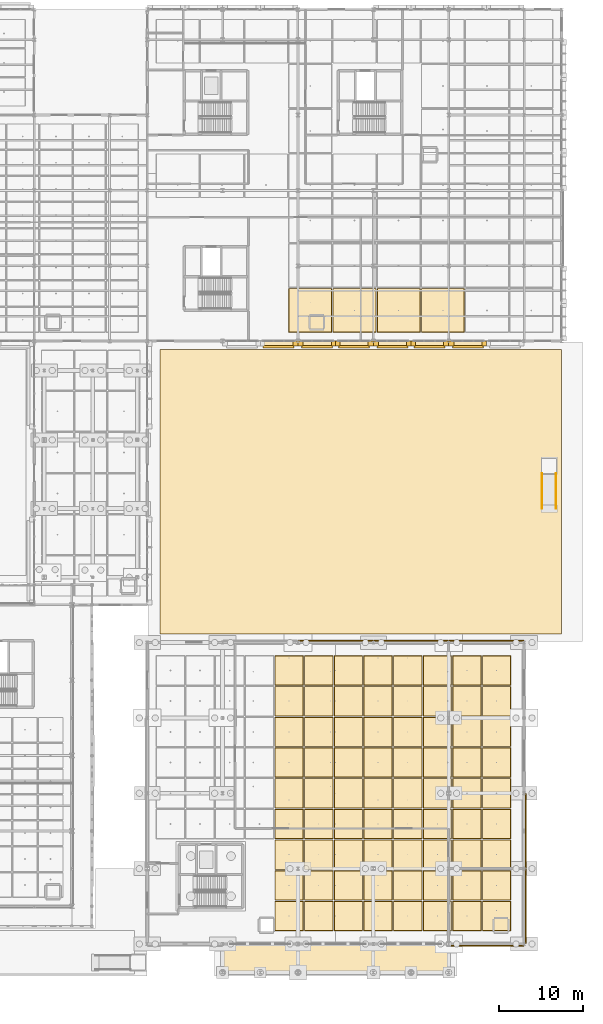
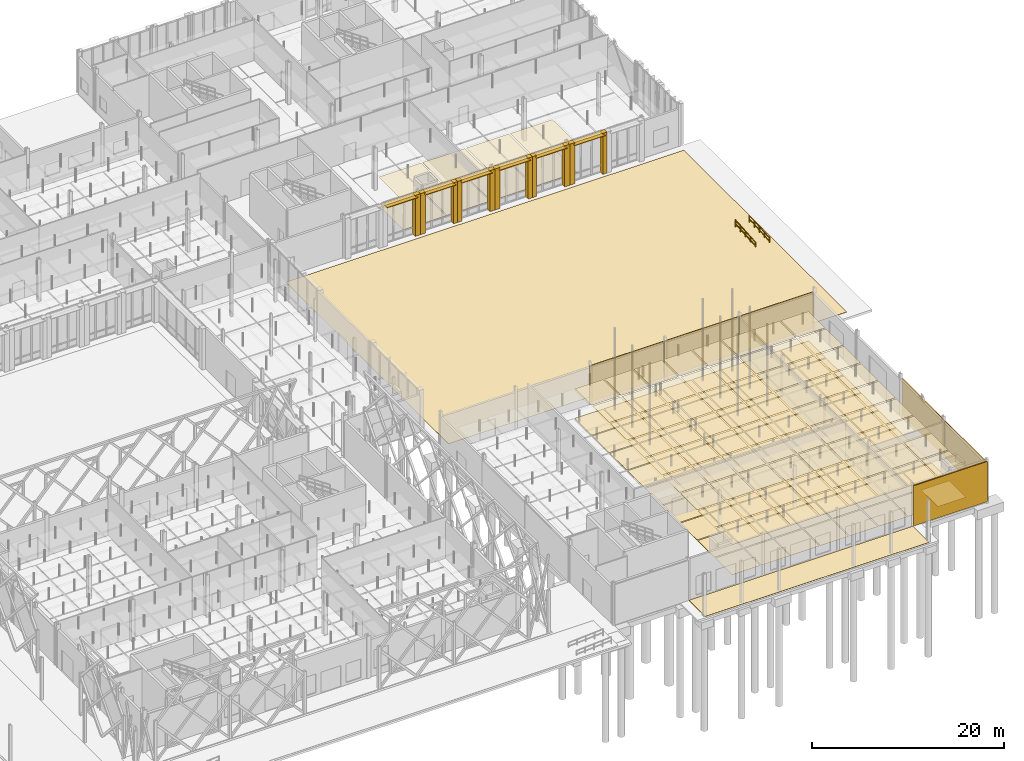
# One storey, part 177 of 180: 177 coverings, 6 shading devices, 2 railings.
"""IFC4 building model written with IfcOpenShell, lengths in metres."""

from ifc_helpers import new_model, si_unit, direction, frame, origin, origin_2d, place, context, subcontext, project, spatial, rectangle, circle, extrude, material, layer, layer_set, type_object, element, save


model = new_model("IFC4")

# Units and contexts
model_context = context("Model", 3, precision=1e-05, world=origin(), true_north=direction((0.0, 1.0)))
body_context = subcontext(model_context, "Body", "Model", "MODEL_VIEW")
ifc_project = project(units=[si_unit("LENGTHUNIT", "METRE"), si_unit("AREAUNIT", "SQUARE_METRE"), si_unit("VOLUMEUNIT", "CUBIC_METRE"), si_unit("PLANEANGLEUNIT", "RADIAN"), si_unit("MASSUNIT", "GRAM", prefix="KILO"), si_unit("THERMODYNAMICTEMPERATUREUNIT", "KELVIN"), si_unit("POWERUNIT", "WATT")], contexts=[model_context])

# Site, building, storey
site_placement = place(None, origin())
site = spatial("IfcSite", under=ifc_project, at=site_placement, CompositionType="ELEMENT")
building_placement = place(site_placement, origin())
building = spatial("IfcBuilding", under=site, at=building_placement, Name="Tallowbark Science Centre", CompositionType="ELEMENT")
storey_placement = place(building_placement, origin())
storey = spatial("IfcBuildingStorey", under=building, at=storey_placement, Name="L00", CompositionType="ELEMENT", Elevation=0.0)

# Coverings
ifc_material_1 = material(Name="Mineral-Fibre Acoustic Ceiling Tile Grid")
ifc_layer_1 = layer(ifc_material_1, 0.01806640625)
ifc_layer_set_1 = layer_set([ifc_layer_1], Name="Mineral-Fibre Acoustic Ceiling Tile Grid")
covering_type_1 = type_object("IfcCoveringType", Name="CLG-ACT-18", PredefinedType="CEILING", material=ifc_layer_set_1)
for number, where, z_axis, x_axis, name in (
    (1, (131.97216796875, 75.6787109375, 3.591064453125), (0.0, 0.0, 1.0), (1.0, 0.0, 0.0), "Suspended Ceiling L00-427"),
    (2, (137.25, 75.6787109375, 3.591064453125), (0.0, 0.0, 1.0), (1.0, 0.0, 0.0), "Suspended Ceiling L00-434"),
    (3, (142.52783203125, 75.6787109375, 3.591064453125), (0.0, 0.0, 1.0), (1.0, 0.0, 0.0), "Suspended Ceiling L00-439"),
    (4, (147.8056640625, 75.6787109375, 3.591064453125), (0.0, 0.0, 1.0), (1.0, 0.0, 0.0), "Suspended Ceiling L00-444"),
):
    element("IfcCovering", number, at=place(storey_placement, frame(where, z_axis=z_axis, x_axis=x_axis)), inside=storey, type_object=covering_type_1, Name=name, PredefinedType="CEILING", context=body_context, shape_type="SweptSolid", body=[
        extrude(rectangle(XDim=5.097900390625, YDim=5.177001953125, at=origin_2d()), origin(), (0.0, 0.0, 1.0), 0.01806640625),
    ])
ifc_material_2 = material(Name="Perforated Spotted Gum Acoustic Baffle Ceiling", Category="wood")
ifc_layer_2 = layer(ifc_material_2, 0.02490234375)
ifc_layer_set_2 = layer_set([ifc_layer_2], Name="Perforated Spotted Gum Acoustic Baffle Ceiling")
covering_type_2 = type_object("IfcCoveringType", Name="CLG-TIM-25", PredefinedType="CEILING", material=ifc_layer_set_2)
for number, where, z_axis, x_axis, name in (
    (5, (129.4375, 3.333251953125, 3.78759765625), (0.0, 0.0, 1.0), (1.0, 0.0, 0.0), "Suspended Ceiling L00-225"),
    (6, (129.4375, 7.0, 3.78759765625), (0.0, 0.0, 1.0), (1.0, 0.0, 0.0), "Suspended Ceiling L00-226"),
    (7, (129.4375, 10.666748046875, 3.78759765625), (0.0, 0.0, 1.0), (1.0, 0.0, 0.0), "Suspended Ceiling L00-227"),
    (8, (129.4375, 14.333251953125, 3.78759765625), (0.0, 0.0, 1.0), (1.0, 0.0, 0.0), "Suspended Ceiling L00-228"),
    (9, (129.4375, 18.0, 3.78759765625), (0.0, 0.0, 1.0), (1.0, 0.0, 0.0), "Suspended Ceiling L00-229"),
    (10, (129.4375, 21.666748046875, 3.78759765625), (0.0, 0.0, 1.0), (1.0, 0.0, 0.0), "Suspended Ceiling L00-230"),
    (11, (129.4375, 25.333251953125, 3.78759765625), (0.0, 0.0, 1.0), (1.0, 0.0, 0.0), "Suspended Ceiling L00-231"),
    (12, (129.4375, 29.0, 3.78759765625), (0.0, 0.0, 1.0), (1.0, 0.0, 0.0), "Suspended Ceiling L00-232"),
    (13, (129.4375, 32.666748046875, 3.78759765625), (0.0, 0.0, 1.0), (1.0, 0.0, 0.0), "Suspended Ceiling L00-233"),
    (14, (132.979248046875, 3.333251953125, 3.78759765625), (0.0, 0.0, 1.0), (1.0, 0.0, 0.0), "Suspended Ceiling L00-234"),
    (15, (132.979248046875, 7.0, 3.78759765625), (0.0, 0.0, 1.0), (1.0, 0.0, 0.0), "Suspended Ceiling L00-235"),
    (16, (132.979248046875, 10.666748046875, 3.78759765625), (0.0, 0.0, 1.0), (1.0, 0.0, 0.0), "Suspended Ceiling L00-236"),
    (17, (132.979248046875, 14.333251953125, 3.78759765625), (0.0, 0.0, 1.0), (1.0, 0.0, 0.0), "Suspended Ceiling L00-237"),
    (18, (132.979248046875, 18.0, 3.78759765625), (0.0, 0.0, 1.0), (1.0, 0.0, 0.0), "Suspended Ceiling L00-238"),
    (19, (132.979248046875, 21.666748046875, 3.78759765625), (0.0, 0.0, 1.0), (1.0, 0.0, 0.0), "Suspended Ceiling L00-239"),
    (20, (132.979248046875, 25.333251953125, 3.78759765625), (0.0, 0.0, 1.0), (1.0, 0.0, 0.0), "Suspended Ceiling L00-240"),
    (21, (132.979248046875, 29.0, 3.78759765625), (0.0, 0.0, 1.0), (1.0, 0.0, 0.0), "Suspended Ceiling L00-241"),
    (22, (132.979248046875, 32.666748046875, 3.78759765625), (0.0, 0.0, 1.0), (1.0, 0.0, 0.0), "Suspended Ceiling L00-242"),
    (23, (136.520751953125, 3.333251953125, 3.78759765625), (0.0, 0.0, 1.0), (1.0, 0.0, 0.0), "Suspended Ceiling L00-243"),
    (24, (136.520751953125, 7.0, 3.78759765625), (0.0, 0.0, 1.0), (1.0, 0.0, 0.0), "Suspended Ceiling L00-244"),
    (25, (136.520751953125, 10.666748046875, 3.78759765625), (0.0, 0.0, 1.0), (1.0, 0.0, 0.0), "Suspended Ceiling L00-245"),
    (26, (136.520751953125, 14.333251953125, 3.78759765625), (0.0, 0.0, 1.0), (1.0, 0.0, 0.0), "Suspended Ceiling L00-246"),
    (27, (136.520751953125, 18.0, 3.78759765625), (0.0, 0.0, 1.0), (1.0, 0.0, 0.0), "Suspended Ceiling L00-247"),
    (28, (136.520751953125, 21.666748046875, 3.78759765625), (0.0, 0.0, 1.0), (1.0, 0.0, 0.0), "Suspended Ceiling L00-248"),
    (29, (136.520751953125, 25.333251953125, 3.78759765625), (0.0, 0.0, 1.0), (1.0, 0.0, 0.0), "Suspended Ceiling L00-249"),
    (30, (136.520751953125, 29.0, 3.78759765625), (0.0, 0.0, 1.0), (1.0, 0.0, 0.0), "Suspended Ceiling L00-250"),
    (31, (136.520751953125, 32.666748046875, 3.78759765625), (0.0, 0.0, 1.0), (1.0, 0.0, 0.0), "Suspended Ceiling L00-251"),
    (32, (140.0625, 3.333251953125, 3.78759765625), (0.0, 0.0, 1.0), (1.0, 0.0, 0.0), "Suspended Ceiling L00-252"),
    (33, (140.0625, 7.0, 3.78759765625), (0.0, 0.0, 1.0), (1.0, 0.0, 0.0), "Suspended Ceiling L00-253"),
    (34, (140.0625, 10.666748046875, 3.78759765625), (0.0, 0.0, 1.0), (1.0, 0.0, 0.0), "Suspended Ceiling L00-254"),
    (35, (140.0625, 14.333251953125, 3.78759765625), (0.0, 0.0, 1.0), (1.0, 0.0, 0.0), "Suspended Ceiling L00-255"),
    (36, (140.0625, 18.0, 3.78759765625), (0.0, 0.0, 1.0), (1.0, 0.0, 0.0), "Suspended Ceiling L00-256"),
    (37, (140.0625, 21.666748046875, 3.78759765625), (0.0, 0.0, 1.0), (1.0, 0.0, 0.0), "Suspended Ceiling L00-257"),
    (38, (140.0625, 25.333251953125, 3.78759765625), (0.0, 0.0, 1.0), (1.0, 0.0, 0.0), "Suspended Ceiling L00-258"),
    (39, (140.0625, 29.0, 3.78759765625), (0.0, 0.0, 1.0), (1.0, 0.0, 0.0), "Suspended Ceiling L00-259"),
    (40, (140.0625, 32.666748046875, 3.78759765625), (0.0, 0.0, 1.0), (1.0, 0.0, 0.0), "Suspended Ceiling L00-260"),
    (41, (143.604248046875, 3.333251953125, 3.78759765625), (0.0, 0.0, 1.0), (1.0, 0.0, 0.0), "Suspended Ceiling L00-261"),
    (42, (143.604248046875, 7.0, 3.78759765625), (0.0, 0.0, 1.0), (1.0, 0.0, 0.0), "Suspended Ceiling L00-262"),
    (43, (143.604248046875, 10.666748046875, 3.78759765625), (0.0, 0.0, 1.0), (1.0, 0.0, 0.0), "Suspended Ceiling L00-263"),
    (44, (143.604248046875, 14.333251953125, 3.78759765625), (0.0, 0.0, 1.0), (1.0, 0.0, 0.0), "Suspended Ceiling L00-264"),
    (45, (143.604248046875, 18.0, 3.78759765625), (0.0, 0.0, 1.0), (1.0, 0.0, 0.0), "Suspended Ceiling L00-265"),
    (46, (143.604248046875, 21.666748046875, 3.78759765625), (0.0, 0.0, 1.0), (1.0, 0.0, 0.0), "Suspended Ceiling L00-266"),
    (47, (143.604248046875, 25.333251953125, 3.78759765625), (0.0, 0.0, 1.0), (1.0, 0.0, 0.0), "Suspended Ceiling L00-267"),
    (48, (143.604248046875, 29.0, 3.78759765625), (0.0, 0.0, 1.0), (1.0, 0.0, 0.0), "Suspended Ceiling L00-268"),
    (49, (143.604248046875, 32.666748046875, 3.78759765625), (0.0, 0.0, 1.0), (1.0, 0.0, 0.0), "Suspended Ceiling L00-269"),
    (50, (147.145751953125, 3.333251953125, 3.78759765625), (0.0, 0.0, 1.0), (1.0, 0.0, 0.0), "Suspended Ceiling L00-270"),
    (51, (147.145751953125, 7.0, 3.78759765625), (0.0, 0.0, 1.0), (1.0, 0.0, 0.0), "Suspended Ceiling L00-271"),
    (52, (147.145751953125, 10.666748046875, 3.78759765625), (0.0, 0.0, 1.0), (1.0, 0.0, 0.0), "Suspended Ceiling L00-272"),
    (53, (147.145751953125, 14.333251953125, 3.78759765625), (0.0, 0.0, 1.0), (1.0, 0.0, 0.0), "Suspended Ceiling L00-273"),
    (54, (147.145751953125, 18.0, 3.78759765625), (0.0, 0.0, 1.0), (1.0, 0.0, 0.0), "Suspended Ceiling L00-274"),
    (55, (147.145751953125, 21.666748046875, 3.78759765625), (0.0, 0.0, 1.0), (1.0, 0.0, 0.0), "Suspended Ceiling L00-275"),
    (56, (147.145751953125, 25.333251953125, 3.78759765625), (0.0, 0.0, 1.0), (1.0, 0.0, 0.0), "Suspended Ceiling L00-276"),
    (57, (147.145751953125, 29.0, 3.78759765625), (0.0, 0.0, 1.0), (1.0, 0.0, 0.0), "Suspended Ceiling L00-277"),
    (58, (147.145751953125, 32.666748046875, 3.78759765625), (0.0, 0.0, 1.0), (1.0, 0.0, 0.0), "Suspended Ceiling L00-278"),
    (59, (150.6875, 3.333251953125, 3.78759765625), (0.0, 0.0, 1.0), (1.0, 0.0, 0.0), "Suspended Ceiling L00-279"),
    (60, (150.6875, 7.0, 3.78759765625), (0.0, 0.0, 1.0), (1.0, 0.0, 0.0), "Suspended Ceiling L00-280"),
    (61, (150.6875, 10.666748046875, 3.78759765625), (0.0, 0.0, 1.0), (1.0, 0.0, 0.0), "Suspended Ceiling L00-281"),
    (62, (150.6875, 14.333251953125, 3.78759765625), (0.0, 0.0, 1.0), (1.0, 0.0, 0.0), "Suspended Ceiling L00-282"),
    (63, (150.6875, 18.0, 3.78759765625), (0.0, 0.0, 1.0), (1.0, 0.0, 0.0), "Suspended Ceiling L00-283"),
    (64, (150.6875, 21.666748046875, 3.78759765625), (0.0, 0.0, 1.0), (1.0, 0.0, 0.0), "Suspended Ceiling L00-284"),
    (65, (150.6875, 25.333251953125, 3.78759765625), (0.0, 0.0, 1.0), (1.0, 0.0, 0.0), "Suspended Ceiling L00-285"),
    (66, (150.6875, 29.0, 3.78759765625), (0.0, 0.0, 1.0), (1.0, 0.0, 0.0), "Suspended Ceiling L00-286"),
    (67, (150.6875, 32.666748046875, 3.78759765625), (0.0, 0.0, 1.0), (1.0, 0.0, 0.0), "Suspended Ceiling L00-287"),
    (68, (154.229248046875, 3.333251953125, 3.78759765625), (0.0, 0.0, 1.0), (1.0, 0.0, 0.0), "Suspended Ceiling L00-288"),
    (69, (154.229248046875, 7.0, 3.78759765625), (0.0, 0.0, 1.0), (1.0, 0.0, 0.0), "Suspended Ceiling L00-289"),
    (70, (154.229248046875, 10.666748046875, 3.78759765625), (0.0, 0.0, 1.0), (1.0, 0.0, 0.0), "Suspended Ceiling L00-290"),
    (71, (154.229248046875, 14.333251953125, 3.78759765625), (0.0, 0.0, 1.0), (1.0, 0.0, 0.0), "Suspended Ceiling L00-291"),
    (72, (154.229248046875, 18.0, 3.78759765625), (0.0, 0.0, 1.0), (1.0, 0.0, 0.0), "Suspended Ceiling L00-292"),
    (73, (154.229248046875, 21.666748046875, 3.78759765625), (0.0, 0.0, 1.0), (1.0, 0.0, 0.0), "Suspended Ceiling L00-293"),
    (74, (154.229248046875, 25.333251953125, 3.78759765625), (0.0, 0.0, 1.0), (1.0, 0.0, 0.0), "Suspended Ceiling L00-294"),
    (75, (154.229248046875, 29.0, 3.78759765625), (0.0, 0.0, 1.0), (1.0, 0.0, 0.0), "Suspended Ceiling L00-295"),
    (76, (154.229248046875, 32.666748046875, 3.78759765625), (0.0, 0.0, 1.0), (1.0, 0.0, 0.0), "Suspended Ceiling L00-296"),
):
    element("IfcCovering", number, at=place(storey_placement, frame(where, z_axis=z_axis, x_axis=x_axis)), inside=storey, type_object=covering_type_2, Name=name, PredefinedType="CEILING", context=body_context, shape_type="SweptSolid", body=[
        extrude(rectangle(XDim=3.36181640625, YDim=3.48681640625, at=origin_2d()), origin(), (0.0, 0.0, 1.0), 0.02490234375),
    ])
ifc_material_3 = material(Name="White Architectural Precast Concrete Grade N40 (40 MPa)", Category="concrete")
ifc_layer_3 = layer(ifc_material_3, 0.1201171875)
ifc_layer_set_3 = layer_set([ifc_layer_3], Name="White Architectural Precast Concrete Grade N40 (40 MPa)")
covering_type_3 = type_object("IfcCoveringType", Name="COV-PRC-CLAD", PredefinedType="CLADDING", material=ifc_layer_set_3)
for number, where, z_axis, x_axis, name in (
    (77, (135.0, 36.1923828125, 0.0498046875), (0.0, 0.0, 1.0), (-1.0, 0.0, 0.0), "Architectural Rainscreen THT-N-L00-2"),
    (78, (144.0, 36.1923828125, 0.0498046875), (0.0, 0.0, 1.0), (-1.0, 0.0, 0.0), "Architectural Rainscreen THT-N-L00-3"),
):
    element("IfcCovering", number, at=place(storey_placement, frame(where, z_axis=z_axis, x_axis=x_axis)), inside=storey, type_object=covering_type_3, Name=name, PredefinedType="CLADDING", context=body_context, shape_type="SweptSolid", body=[
        extrude(rectangle(XDim=8.8798828125, YDim=0.1201171875, at=origin_2d()), origin(), (0.0, 0.0, 1.0), 4.581298828125),
    ])
covering_1_placement = place(storey_placement, frame((153.0, -0.1923828125, 0.050048828125), z_axis=(0.0, 0.0, 1.0), x_axis=(1.0, 0.0, 0.0)))
element("IfcCovering", 79, at=covering_1_placement, inside=storey, type_object=covering_type_3, Name="Architectural Rainscreen THT-S-L00-4", PredefinedType="CLADDING", context=body_context, shape_type="SweptSolid", body=[
    extrude(rectangle(XDim=8.8798828125, YDim=0.1201171875, at=origin_2d()), origin(), (0.0, 0.0, 1.0), 5.1201171875),
])
for number, where, z_axis, x_axis, name in (
    (80, (153.0, 36.1923828125, 0.0498046875), (0.0, 0.0, 1.0), (-1.0, 0.0, 0.0), "Architectural Rainscreen THT-N-L00-4"),
    (81, (157.6923828125, 4.5, 0.0498046875), (0.0, 0.0, 1.0), (0.0, 1.0, 0.0), "Architectural Rainscreen THT-E-L00-0"),
    (82, (157.6923828125, 13.5, 0.0498046875), (0.0, 0.0, 1.0), (0.0, 1.0, 0.0), "Architectural Rainscreen THT-E-L00-1"),
):
    element("IfcCovering", number, at=place(storey_placement, frame(where, z_axis=z_axis, x_axis=x_axis)), inside=storey, type_object=covering_type_3, Name=name, PredefinedType="CLADDING", context=body_context, shape_type="SweptSolid", body=[
        extrude(rectangle(XDim=8.8798828125, YDim=0.1201171875, at=origin_2d()), origin(), (0.0, 0.0, 1.0), 4.581298828125),
    ])
for number, where, z_axis, x_axis, name in (
    (83, (130.195068359375, 71.719970703125, 0.0), (0.0, 0.0, 1.0), (1.0, 0.0, 0.0), "Postmodern Deep Precast Pier CW-L00-093-2"),
    (84, (130.804931640625, 71.719970703125, 0.0), (0.0, 0.0, 1.0), (1.0, 0.0, 0.0), "Postmodern Deep Precast Pier CW-L00-096-1"),
):
    element("IfcCovering", number, at=place(storey_placement, frame(where, z_axis=z_axis, x_axis=x_axis)), inside=storey, type_object=covering_type_3, Name=name, PredefinedType="CLADDING", context=body_context, shape_type="SweptSolid", body=[
        extrude(rectangle(XDim=0.610107421875, YDim=0.56005859375, at=origin_2d()), origin(), (0.0, 0.0, 1.0), 5.219970703125),
    ])
for number, where, z_axis, x_axis, name in (
    (85, (134.7451171875, 71.719970703125, 0.0), (0.0, 0.0, 1.0), (1.0, 0.0, 0.0), "Postmodern Deep Precast Pier CW-L00-096-2"),
    (86, (135.2548828125, 71.719970703125, 0.0), (0.0, 0.0, 1.0), (1.0, 0.0, 0.0), "Postmodern Deep Precast Pier CW-L00-097-1"),
):
    element("IfcCovering", number, at=place(storey_placement, frame(where, z_axis=z_axis, x_axis=x_axis)), inside=storey, type_object=covering_type_3, Name=name, PredefinedType="CLADDING", context=body_context, shape_type="SweptSolid", body=[
        extrude(rectangle(XDim=0.510009765625, YDim=0.56005859375, at=origin_2d()), origin(), (0.0, 0.0, 1.0), 5.219970703125),
    ])
for number, where, z_axis, x_axis, name in (
    (87, (139.195068359375, 71.719970703125, 0.0), (0.0, 0.0, 1.0), (1.0, 0.0, 0.0), "Postmodern Deep Precast Pier CW-L00-097-2"),
    (88, (139.804931640625, 71.719970703125, 0.0), (0.0, 0.0, 1.0), (1.0, 0.0, 0.0), "Postmodern Deep Precast Pier CW-L00-098-1"),
):
    element("IfcCovering", number, at=place(storey_placement, frame(where, z_axis=z_axis, x_axis=x_axis)), inside=storey, type_object=covering_type_3, Name=name, PredefinedType="CLADDING", context=body_context, shape_type="SweptSolid", body=[
        extrude(rectangle(XDim=0.610107421875, YDim=0.56005859375, at=origin_2d()), origin(), (0.0, 0.0, 1.0), 5.219970703125),
    ])
for number, where, z_axis, x_axis, name in (
    (89, (143.7451171875, 71.719970703125, 0.0), (0.0, 0.0, 1.0), (1.0, 0.0, 0.0), "Postmodern Deep Precast Pier CW-L00-098-2"),
    (90, (144.2548828125, 71.719970703125, 0.0), (0.0, 0.0, 1.0), (1.0, 0.0, 0.0), "Postmodern Deep Precast Pier CW-L00-099-1"),
):
    element("IfcCovering", number, at=place(storey_placement, frame(where, z_axis=z_axis, x_axis=x_axis)), inside=storey, type_object=covering_type_3, Name=name, PredefinedType="CLADDING", context=body_context, shape_type="SweptSolid", body=[
        extrude(rectangle(XDim=0.510009765625, YDim=0.56005859375, at=origin_2d()), origin(), (0.0, 0.0, 1.0), 5.219970703125),
    ])
for number, where, z_axis, x_axis, name in (
    (91, (148.195068359375, 71.719970703125, 0.0), (0.0, 0.0, 1.0), (1.0, 0.0, 0.0), "Postmodern Deep Precast Pier CW-L00-099-2"),
    (92, (148.804931640625, 71.719970703125, 0.0), (0.0, 0.0, 1.0), (1.0, 0.0, 0.0), "Postmodern Deep Precast Pier CW-L00-102-1"),
):
    element("IfcCovering", number, at=place(storey_placement, frame(where, z_axis=z_axis, x_axis=x_axis)), inside=storey, type_object=covering_type_3, Name=name, PredefinedType="CLADDING", context=body_context, shape_type="SweptSolid", body=[
        extrude(rectangle(XDim=0.610107421875, YDim=0.56005859375, at=origin_2d()), origin(), (0.0, 0.0, 1.0), 5.219970703125),
    ])
covering_2_placement = place(storey_placement, frame((152.7451171875, 71.719970703125, 0.0), z_axis=(0.0, 0.0, 1.0), x_axis=(1.0, 0.0, 0.0)))
element("IfcCovering", 93, at=covering_2_placement, inside=storey, type_object=covering_type_3, Name="Postmodern Deep Precast Pier CW-L00-102-2", PredefinedType="CLADDING", context=body_context, shape_type="SweptSolid", body=[
    extrude(rectangle(XDim=0.510009765625, YDim=0.56005859375, at=origin_2d()), origin(), (0.0, 0.0, 1.0), 5.219970703125),
])
ifc_material_4 = material(Name="Honed Hawkesbury Sandstone Civic Paving", Category="masonry")
ifc_layer_4 = layer(ifc_material_4, 0.0400390625)
ifc_layer_set_4 = layer_set([ifc_layer_4], Name="Honed Hawkesbury Sandstone Civic Paving")
covering_type_4 = type_object("IfcCoveringType", Name="COV-STN-PAV", PredefinedType="FLOORING", material=ifc_layer_set_4)
covering_3_placement = place(storey_placement, frame((138.0, 54.0, 0.0), z_axis=(0.0, 0.0, 1.0), x_axis=(1.0, 0.0, 0.0)))
element("IfcCovering", 94, at=covering_3_placement, inside=storey, type_object=covering_type_4, Name="Hawkesbury Sandstone Paving PAV-EAST-COURT", PredefinedType="FLOORING", context=body_context, shape_type="SweptSolid", body=[
    extrude(rectangle(XDim=48.0, YDim=34.0, at=origin_2d()), origin(), (0.0, 0.0, 1.0), 0.02001953125),
])
covering_4_placement = place(storey_placement, frame((135.0, -1.89990234375, 0.0), z_axis=(0.0, 0.0, 1.0), x_axis=(1.0, 0.0, 0.0)))
element("IfcCovering", 95, at=covering_4_placement, inside=storey, type_object=covering_type_4, Name="Hawkesbury Sandstone Paving PAV-PORTICO-S", PredefinedType="FLOORING", context=body_context, shape_type="SweptSolid", body=[
    extrude(rectangle(XDim=27.0, YDim=3.39990234375, at=origin_2d()), origin(), (0.0, 0.0, 1.0), 0.02001953125),
])
ifc_material_5 = material(Name="Vitrified Ochre Terracotta Architectural Rainscreen", Category="masonry")
ifc_layer_5 = layer(ifc_material_5, 0.0380859375)
ifc_layer_set_5 = layer_set([ifc_layer_5], Name="Vitrified Ochre Terracotta Architectural Rainscreen")
covering_type_5 = type_object("IfcCoveringType", Name="COV-TER-CLAD", PredefinedType="CLADDING", material=ifc_layer_set_5)
for number, where, z_axis, x_axis, name in (
    (96, (128.199951171875, 71.739990234375, 4.8701171875), (0.0, 0.0, 1.0), (1.0, 0.0, 0.0), "Postmodern Terracotta Cornice Band CW-L00-093"),
    (97, (132.800048828125, 71.739990234375, 4.8701171875), (0.0, 0.0, 1.0), (1.0, 0.0, 0.0), "Postmodern Terracotta Cornice Band CW-L00-096"),
    (98, (137.199951171875, 71.739990234375, 4.8701171875), (0.0, 0.0, 1.0), (1.0, 0.0, 0.0), "Postmodern Terracotta Cornice Band CW-L00-097"),
    (99, (141.800048828125, 71.739990234375, 4.8701171875), (0.0, 0.0, 1.0), (1.0, 0.0, 0.0), "Postmodern Terracotta Cornice Band CW-L00-098"),
    (100, (146.199951171875, 71.739990234375, 4.8701171875), (0.0, 0.0, 1.0), (1.0, 0.0, 0.0), "Postmodern Terracotta Cornice Band CW-L00-099"),
    (101, (150.800048828125, 71.739990234375, 4.8701171875), (0.0, 0.0, 1.0), (1.0, 0.0, 0.0), "Postmodern Terracotta Cornice Band CW-L00-102"),
):
    element("IfcCovering", number, at=place(storey_placement, frame(where, z_axis=z_axis, x_axis=x_axis)), inside=storey, type_object=covering_type_5, Name=name, PredefinedType="CLADDING", context=body_context, shape_type="SweptSolid", body=[
        extrude(rectangle(XDim=4.300048828125, YDim=0.52001953125, at=origin_2d()), origin(), (0.0, 0.0, 1.0), 0.340087890625),
    ])
ifc_material_6 = material(Name="Solution-Dyed Acoustic Theatre Carpet Tile")
ifc_layer_6 = layer(ifc_material_6, 0.013916015625)
ifc_layer_set_6 = layer_set([ifc_layer_6], Name="Solution-Dyed Acoustic Theatre Carpet Tile")
covering_type_6 = type_object("IfcCoveringType", Name="FLR-CRP-14", PredefinedType="FLOORING", material=ifc_layer_set_6)
for number, where, z_axis, x_axis, name in (
    (102, (129.4375, 3.333251953125, 0.0), (0.0, 0.0, 1.0), (1.0, 0.0, 0.0), "Floor Finish L00-225"),
    (103, (129.4375, 7.0, 0.0), (0.0, 0.0, 1.0), (1.0, 0.0, 0.0), "Floor Finish L00-226"),
    (104, (129.4375, 10.666748046875, 0.0), (0.0, 0.0, 1.0), (1.0, 0.0, 0.0), "Floor Finish L00-227"),
    (105, (129.4375, 14.333251953125, 0.0), (0.0, 0.0, 1.0), (1.0, 0.0, 0.0), "Floor Finish L00-228"),
    (106, (129.4375, 18.0, 0.0), (0.0, 0.0, 1.0), (1.0, 0.0, 0.0), "Floor Finish L00-229"),
    (107, (129.4375, 21.666748046875, 0.0), (0.0, 0.0, 1.0), (1.0, 0.0, 0.0), "Floor Finish L00-230"),
    (108, (129.4375, 25.333251953125, 0.0), (0.0, 0.0, 1.0), (1.0, 0.0, 0.0), "Floor Finish L00-231"),
    (109, (129.4375, 29.0, 0.0), (0.0, 0.0, 1.0), (1.0, 0.0, 0.0), "Floor Finish L00-232"),
    (110, (129.4375, 32.666748046875, 0.0), (0.0, 0.0, 1.0), (1.0, 0.0, 0.0), "Floor Finish L00-233"),
    (111, (132.979248046875, 3.333251953125, 0.0), (0.0, 0.0, 1.0), (1.0, 0.0, 0.0), "Floor Finish L00-234"),
    (112, (132.979248046875, 7.0, 0.0), (0.0, 0.0, 1.0), (1.0, 0.0, 0.0), "Floor Finish L00-235"),
    (113, (132.979248046875, 10.666748046875, 0.0), (0.0, 0.0, 1.0), (1.0, 0.0, 0.0), "Floor Finish L00-236"),
    (114, (132.979248046875, 14.333251953125, 0.0), (0.0, 0.0, 1.0), (1.0, 0.0, 0.0), "Floor Finish L00-237"),
    (115, (132.979248046875, 18.0, 0.0), (0.0, 0.0, 1.0), (1.0, 0.0, 0.0), "Floor Finish L00-238"),
    (116, (132.979248046875, 21.666748046875, 0.0), (0.0, 0.0, 1.0), (1.0, 0.0, 0.0), "Floor Finish L00-239"),
    (117, (132.979248046875, 25.333251953125, 0.0), (0.0, 0.0, 1.0), (1.0, 0.0, 0.0), "Floor Finish L00-240"),
    (118, (132.979248046875, 29.0, 0.0), (0.0, 0.0, 1.0), (1.0, 0.0, 0.0), "Floor Finish L00-241"),
    (119, (132.979248046875, 32.666748046875, 0.0), (0.0, 0.0, 1.0), (1.0, 0.0, 0.0), "Floor Finish L00-242"),
    (120, (136.520751953125, 3.333251953125, 0.0), (0.0, 0.0, 1.0), (1.0, 0.0, 0.0), "Floor Finish L00-243"),
    (121, (136.520751953125, 7.0, 0.0), (0.0, 0.0, 1.0), (1.0, 0.0, 0.0), "Floor Finish L00-244"),
    (122, (136.520751953125, 10.666748046875, 0.0), (0.0, 0.0, 1.0), (1.0, 0.0, 0.0), "Floor Finish L00-245"),
    (123, (136.520751953125, 14.333251953125, 0.0), (0.0, 0.0, 1.0), (1.0, 0.0, 0.0), "Floor Finish L00-246"),
    (124, (136.520751953125, 18.0, 0.0), (0.0, 0.0, 1.0), (1.0, 0.0, 0.0), "Floor Finish L00-247"),
    (125, (136.520751953125, 21.666748046875, 0.0), (0.0, 0.0, 1.0), (1.0, 0.0, 0.0), "Floor Finish L00-248"),
    (126, (136.520751953125, 25.333251953125, 0.0), (0.0, 0.0, 1.0), (1.0, 0.0, 0.0), "Floor Finish L00-249"),
    (127, (136.520751953125, 29.0, 0.0), (0.0, 0.0, 1.0), (1.0, 0.0, 0.0), "Floor Finish L00-250"),
    (128, (136.520751953125, 32.666748046875, 0.0), (0.0, 0.0, 1.0), (1.0, 0.0, 0.0), "Floor Finish L00-251"),
    (129, (140.0625, 3.333251953125, 0.0), (0.0, 0.0, 1.0), (1.0, 0.0, 0.0), "Floor Finish L00-252"),
    (130, (140.0625, 7.0, 0.0), (0.0, 0.0, 1.0), (1.0, 0.0, 0.0), "Floor Finish L00-253"),
    (131, (140.0625, 10.666748046875, 0.0), (0.0, 0.0, 1.0), (1.0, 0.0, 0.0), "Floor Finish L00-254"),
    (132, (140.0625, 14.333251953125, 0.0), (0.0, 0.0, 1.0), (1.0, 0.0, 0.0), "Floor Finish L00-255"),
    (133, (140.0625, 18.0, 0.0), (0.0, 0.0, 1.0), (1.0, 0.0, 0.0), "Floor Finish L00-256"),
    (134, (140.0625, 21.666748046875, 0.0), (0.0, 0.0, 1.0), (1.0, 0.0, 0.0), "Floor Finish L00-257"),
    (135, (140.0625, 25.333251953125, 0.0), (0.0, 0.0, 1.0), (1.0, 0.0, 0.0), "Floor Finish L00-258"),
    (136, (140.0625, 29.0, 0.0), (0.0, 0.0, 1.0), (1.0, 0.0, 0.0), "Floor Finish L00-259"),
    (137, (140.0625, 32.666748046875, 0.0), (0.0, 0.0, 1.0), (1.0, 0.0, 0.0), "Floor Finish L00-260"),
    (138, (143.604248046875, 3.333251953125, 0.0), (0.0, 0.0, 1.0), (1.0, 0.0, 0.0), "Floor Finish L00-261"),
    (139, (143.604248046875, 7.0, 0.0), (0.0, 0.0, 1.0), (1.0, 0.0, 0.0), "Floor Finish L00-262"),
    (140, (143.604248046875, 10.666748046875, 0.0), (0.0, 0.0, 1.0), (1.0, 0.0, 0.0), "Floor Finish L00-263"),
    (141, (143.604248046875, 14.333251953125, 0.0), (0.0, 0.0, 1.0), (1.0, 0.0, 0.0), "Floor Finish L00-264"),
    (142, (143.604248046875, 18.0, 0.0), (0.0, 0.0, 1.0), (1.0, 0.0, 0.0), "Floor Finish L00-265"),
    (143, (143.604248046875, 21.666748046875, 0.0), (0.0, 0.0, 1.0), (1.0, 0.0, 0.0), "Floor Finish L00-266"),
    (144, (143.604248046875, 25.333251953125, 0.0), (0.0, 0.0, 1.0), (1.0, 0.0, 0.0), "Floor Finish L00-267"),
    (145, (143.604248046875, 29.0, 0.0), (0.0, 0.0, 1.0), (1.0, 0.0, 0.0), "Floor Finish L00-268"),
    (146, (143.604248046875, 32.666748046875, 0.0), (0.0, 0.0, 1.0), (1.0, 0.0, 0.0), "Floor Finish L00-269"),
    (147, (147.145751953125, 3.333251953125, 0.0), (0.0, 0.0, 1.0), (1.0, 0.0, 0.0), "Floor Finish L00-270"),
    (148, (147.145751953125, 7.0, 0.0), (0.0, 0.0, 1.0), (1.0, 0.0, 0.0), "Floor Finish L00-271"),
    (149, (147.145751953125, 10.666748046875, 0.0), (0.0, 0.0, 1.0), (1.0, 0.0, 0.0), "Floor Finish L00-272"),
    (150, (147.145751953125, 14.333251953125, 0.0), (0.0, 0.0, 1.0), (1.0, 0.0, 0.0), "Floor Finish L00-273"),
    (151, (147.145751953125, 18.0, 0.0), (0.0, 0.0, 1.0), (1.0, 0.0, 0.0), "Floor Finish L00-274"),
    (152, (147.145751953125, 21.666748046875, 0.0), (0.0, 0.0, 1.0), (1.0, 0.0, 0.0), "Floor Finish L00-275"),
    (153, (147.145751953125, 25.333251953125, 0.0), (0.0, 0.0, 1.0), (1.0, 0.0, 0.0), "Floor Finish L00-276"),
    (154, (147.145751953125, 29.0, 0.0), (0.0, 0.0, 1.0), (1.0, 0.0, 0.0), "Floor Finish L00-277"),
    (155, (147.145751953125, 32.666748046875, 0.0), (0.0, 0.0, 1.0), (1.0, 0.0, 0.0), "Floor Finish L00-278"),
    (156, (150.6875, 3.333251953125, 0.0), (0.0, 0.0, 1.0), (1.0, 0.0, 0.0), "Floor Finish L00-279"),
    (157, (150.6875, 7.0, 0.0), (0.0, 0.0, 1.0), (1.0, 0.0, 0.0), "Floor Finish L00-280"),
    (158, (150.6875, 10.666748046875, 0.0), (0.0, 0.0, 1.0), (1.0, 0.0, 0.0), "Floor Finish L00-281"),
    (159, (150.6875, 14.333251953125, 0.0), (0.0, 0.0, 1.0), (1.0, 0.0, 0.0), "Floor Finish L00-282"),
    (160, (150.6875, 18.0, 0.0), (0.0, 0.0, 1.0), (1.0, 0.0, 0.0), "Floor Finish L00-283"),
    (161, (150.6875, 21.666748046875, 0.0), (0.0, 0.0, 1.0), (1.0, 0.0, 0.0), "Floor Finish L00-284"),
    (162, (150.6875, 25.333251953125, 0.0), (0.0, 0.0, 1.0), (1.0, 0.0, 0.0), "Floor Finish L00-285"),
    (163, (150.6875, 29.0, 0.0), (0.0, 0.0, 1.0), (1.0, 0.0, 0.0), "Floor Finish L00-286"),
    (164, (150.6875, 32.666748046875, 0.0), (0.0, 0.0, 1.0), (1.0, 0.0, 0.0), "Floor Finish L00-287"),
    (165, (154.229248046875, 3.333251953125, 0.0), (0.0, 0.0, 1.0), (1.0, 0.0, 0.0), "Floor Finish L00-288"),
    (166, (154.229248046875, 7.0, 0.0), (0.0, 0.0, 1.0), (1.0, 0.0, 0.0), "Floor Finish L00-289"),
    (167, (154.229248046875, 10.666748046875, 0.0), (0.0, 0.0, 1.0), (1.0, 0.0, 0.0), "Floor Finish L00-290"),
    (168, (154.229248046875, 14.333251953125, 0.0), (0.0, 0.0, 1.0), (1.0, 0.0, 0.0), "Floor Finish L00-291"),
    (169, (154.229248046875, 18.0, 0.0), (0.0, 0.0, 1.0), (1.0, 0.0, 0.0), "Floor Finish L00-292"),
    (170, (154.229248046875, 21.666748046875, 0.0), (0.0, 0.0, 1.0), (1.0, 0.0, 0.0), "Floor Finish L00-293"),
    (171, (154.229248046875, 25.333251953125, 0.0), (0.0, 0.0, 1.0), (1.0, 0.0, 0.0), "Floor Finish L00-294"),
    (172, (154.229248046875, 29.0, 0.0), (0.0, 0.0, 1.0), (1.0, 0.0, 0.0), "Floor Finish L00-295"),
    (173, (154.229248046875, 32.666748046875, 0.0), (0.0, 0.0, 1.0), (1.0, 0.0, 0.0), "Floor Finish L00-296"),
):
    element("IfcCovering", number, at=place(storey_placement, frame(where, z_axis=z_axis, x_axis=x_axis)), inside=storey, type_object=covering_type_6, Name=name, PredefinedType="FLOORING", context=body_context, shape_type="SweptSolid", body=[
        extrude(rectangle(XDim=3.421630859375, YDim=3.546630859375, at=origin_2d()), origin(), (0.0, 0.0, 1.0), 0.013916015625),
    ])
ifc_material_7 = material(Name="Engineered Blackbutt Gallery Timber Flooring", Category="wood")
ifc_layer_7 = layer(ifc_material_7, 0.02197265625)
ifc_layer_set_7 = layer_set([ifc_layer_7], Name="Engineered Blackbutt Gallery Timber Flooring")
covering_type_7 = type_object("IfcCoveringType", Name="FLR-TIM-22", PredefinedType="FLOORING", material=ifc_layer_set_7)
for number, where, z_axis, x_axis, name in (
    (174, (131.97216796875, 75.6787109375, 0.0), (0.0, 0.0, 1.0), (1.0, 0.0, 0.0), "Floor Finish L00-427"),
    (175, (137.25, 75.6787109375, 0.0), (0.0, 0.0, 1.0), (1.0, 0.0, 0.0), "Floor Finish L00-434"),
    (176, (142.52783203125, 75.6787109375, 0.0), (0.0, 0.0, 1.0), (1.0, 0.0, 0.0), "Floor Finish L00-439"),
    (177, (147.8056640625, 75.6787109375, 0.0), (0.0, 0.0, 1.0), (1.0, 0.0, 0.0), "Floor Finish L00-444"),
):
    element("IfcCovering", number, at=place(storey_placement, frame(where, z_axis=z_axis, x_axis=x_axis)), inside=storey, type_object=covering_type_7, Name=name, PredefinedType="FLOORING", context=body_context, shape_type="SweptSolid", body=[
        extrude(rectangle(XDim=5.15771484375, YDim=5.237060546875, at=origin_2d()), origin(), (0.0, 0.0, 1.0), 0.02197265625),
    ])

# Railings
ifc_material_8 = material(Name="Brushed Grade 316 Stainless Steel Handrail", Category="steel")
ifc_layer_8 = layer(ifc_material_8, 0.050048828125)
ifc_layer_set_8 = layer_set([ifc_layer_8], Name="Brushed Grade 316 Stainless Steel Handrail")
railing_type = type_object("IfcRailingType", Name="RLG-HDR-950", PredefinedType="HANDRAIL", material=ifc_layer_set_8)
for number, where, name in (
    (178, (159.659912109375, 52.0, -0.300048828125), "Ramp Handrail RMP-06 L"),
    (179, (161.340087890625, 52.0, -0.300048828125), "Ramp Handrail RMP-06 R"),
):
    element("IfcRailing", number, at=place(storey_placement, frame(where)), inside=storey, type_object=railing_type, Name=name, PredefinedType="HANDRAIL", context=body_context, shape_type="SweptSolid", body=[
        extrude(circle(Radius=0.02392578125, at=origin_2d()), frame((0.0, 0.0, 0.92578125), z_axis=(0.0, 0.997457816785, 0.071259411546), x_axis=(-1.0, 0.0, 0.0)), (0.0, 0.0, 1.0), 4.210693359375),
        extrude(circle(Radius=0.02392578125, at=origin_2d()), frame((0.0, 0.0, 0.47509765625), z_axis=(0.0, 0.997457816785, 0.071259411546), x_axis=(-1.0, 0.0, 0.0)), (0.0, 0.0, 1.0), 4.210693359375),
        extrude(circle(Radius=0.02099609375, at=origin_2d()), origin(), (0.0, 0.0, 1.0), 0.90185546875),
        extrude(circle(Radius=0.02099609375, at=origin_2d()), frame((0.0, 1.050048828125, 0.074951171875)), (0.0, 0.0, 1.0), 0.90185546875),
        extrude(circle(Radius=0.02099609375, at=origin_2d()), frame((0.0, 2.10009765625, 0.14990234375)), (0.0, 0.0, 1.0), 0.90185546875),
        extrude(circle(Radius=0.02099609375, at=origin_2d()), frame((0.0, 3.14990234375, 0.22509765625)), (0.0, 0.0, 1.0), 0.90185546875),
        extrude(circle(Radius=0.02099609375, at=origin_2d()), frame((0.0, 4.199951171875, 0.300048828125)), (0.0, 0.0, 1.0), 0.90185546875),
    ])

# Shading devices
ifc_material_9 = material(Name="Terracotta-Anodised Extruded Aluminium Sunshade Blade", Category="masonry")
ifc_layer_9 = layer(ifc_material_9, 0.054931640625)
ifc_layer_set_9 = layer_set([ifc_layer_9], Name="Terracotta-Anodised Extruded Aluminium Sunshade Blade")
shading_device_type = type_object("IfcShadingDeviceType", Name="SHD-LVR-300", PredefinedType="AWNING", material=ifc_layer_set_9)
for number, where, z_axis, x_axis, name in (
    (180, (128.199951171875, 71.580078125, 5.03271484375), (0.0, 0.0, 1.0), (1.0, 0.0, 0.0), "Horizontal Solar Louvre Hood CW-L00-093"),
    (181, (132.800048828125, 71.580078125, 5.03271484375), (0.0, 0.0, 1.0), (1.0, 0.0, 0.0), "Horizontal Solar Louvre Hood CW-L00-096"),
    (182, (137.199951171875, 71.580078125, 5.03271484375), (0.0, 0.0, 1.0), (1.0, 0.0, 0.0), "Horizontal Solar Louvre Hood CW-L00-097"),
    (183, (141.800048828125, 71.580078125, 5.03271484375), (0.0, 0.0, 1.0), (1.0, 0.0, 0.0), "Horizontal Solar Louvre Hood CW-L00-098"),
    (184, (146.199951171875, 71.580078125, 5.03271484375), (0.0, 0.0, 1.0), (1.0, 0.0, 0.0), "Horizontal Solar Louvre Hood CW-L00-099"),
    (185, (150.800048828125, 71.580078125, 5.03271484375), (0.0, 0.0, 1.0), (1.0, 0.0, 0.0), "Horizontal Solar Louvre Hood CW-L00-102"),
):
    element("IfcShadingDevice", number, at=place(storey_placement, frame(where, z_axis=z_axis, x_axis=x_axis)), inside=storey, type_object=shading_device_type, Name=name, PredefinedType="AWNING", context=body_context, shape_type="SweptSolid", body=[
        extrude(rectangle(XDim=3.699951171875, YDim=0.840087890625, at=origin_2d()), origin(), (0.0, 0.0, 1.0), 0.054931640625),
    ])

save(model, "model.ifc")
